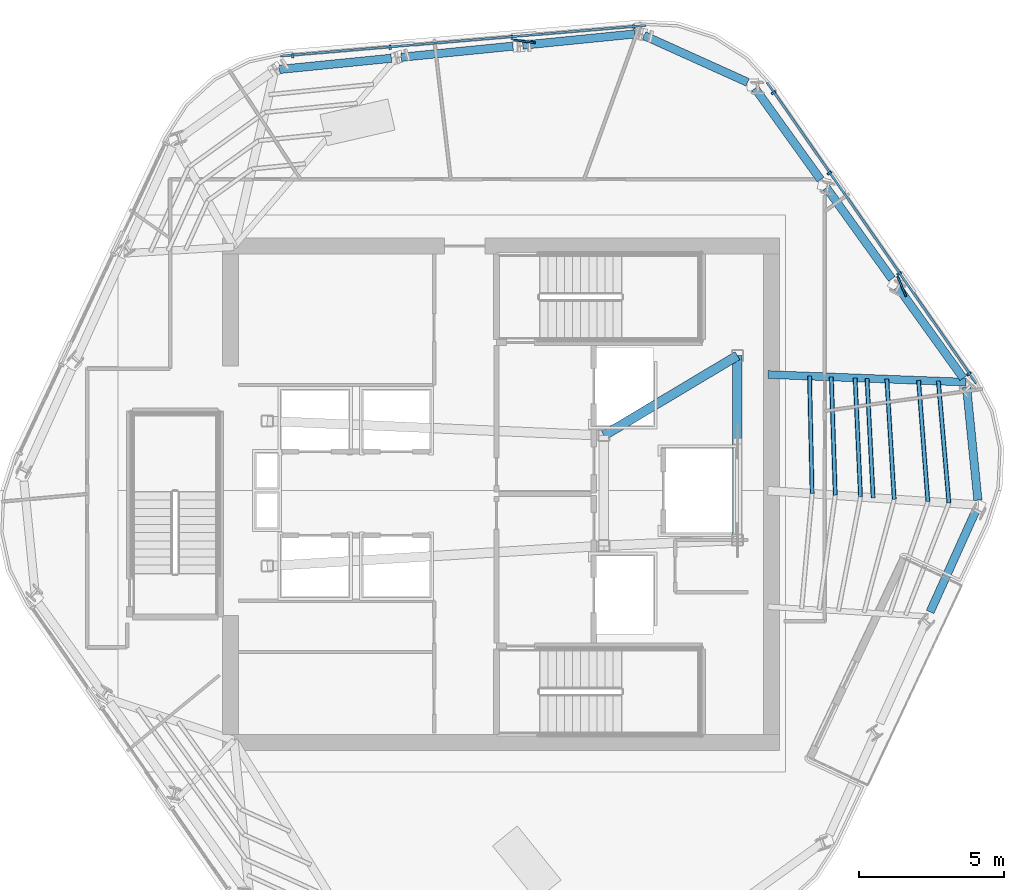
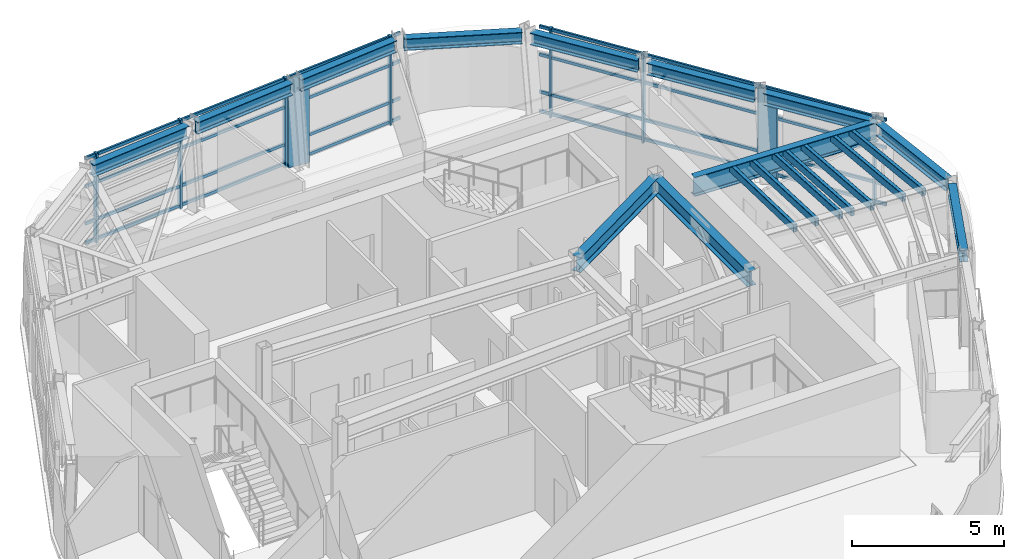
# One storey, part 4 of 14: 25 members, 12 beams, 2 elements without a shape of their own.
"""IFC4 building model written with IfcOpenShell, lengths in metres."""

from ifc_helpers import new_model, si_unit, direction, frame, origin, origin_2d, place, context, subcontext, project, spatial, rectangle, hollow_rectangle, i_section, extrude, material, layer, layer_set, material_profile, profile_set, type_object, element, aggregate, save


model = new_model("IFC4")

# Units and contexts
model_context = context("Model", 3, precision=1e-05, world=origin(), true_north=direction((0.0, 1.0)))
body_context = subcontext(model_context, "Body", "Model", "MODEL_VIEW")
ifc_project = project(units=[si_unit("LENGTHUNIT", "METRE"), si_unit("AREAUNIT", "SQUARE_METRE"), si_unit("VOLUMEUNIT", "CUBIC_METRE"), si_unit("PLANEANGLEUNIT", "RADIAN"), si_unit("MASSUNIT", "GRAM", prefix="KILO")], contexts=[model_context])

# Site, building, storey
site_placement = place(None, origin())
site = spatial("IfcSite", under=ifc_project, at=site_placement, CompositionType="ELEMENT")
building_placement = place(site_placement, origin())
building = spatial("IfcBuilding", under=site, at=building_placement, Name="Valkerne Bourse Tower", CompositionType="ELEMENT")
storey_placement = place(building_placement, frame((0.0, 0.0, 304.0)))
storey = spatial("IfcBuildingStorey", under=building, at=storey_placement, Name="L77", CompositionType="ELEMENT", Elevation=304.0)

# Beams
ifc_material_1 = material(Name="Steel ASTM A992", Category="steel")
ifc_material_profile_1 = material_profile(ifc_material_1, i_section(OverallWidth=0.284423828125, OverallDepth=0.47509765625, WebThickness=0.014892578125, FlangeThickness=0.02392578125, FilletRadius=0.017822265625, at=origin_2d()), Name="W18X106")
ifc_profile_set_1 = profile_set([ifc_material_profile_1], Name="Steel ASTM A992")
beam_type_1 = type_object("IfcBeamType", Name="BM-W18X106", PredefinedType="BEAM", material=ifc_profile_set_1)
beam_1_placement = place(storey_placement, frame((51.407958984375, 42.734130859375, 3.362548828125), z_axis=(-0.995055902693, -0.099316416143, 0.0), x_axis=(0.099316416143, -0.995055902693, 0.0)))
element("IfcBeam", 1, at=beam_1_placement, inside=storey, type_object=beam_type_1, Name="L77 Hexagonal Spandrel Ring Beam 00", PredefinedType="BEAM", context=body_context, shape_type="SweptSolid", body=[
    extrude(i_section(OverallWidth=0.284423828125, OverallDepth=0.47509765625, WebThickness=0.014892578125, FlangeThickness=0.02392578125, FilletRadius=0.017822265625, at=origin_2d()), origin(), (0.0, 0.0, 1.0), 3.87158203125),
])
for number, where, z_axis, x_axis, name in (
    (2, (47.216796875, 42.31591796875, 3.362548828125), (-0.995056524623, -0.099310184797, 0.0), (0.099310184797, -0.995056524623, 0.0), "L77 Hexagonal Spandrel Ring Beam 01"),
    (3, (43.025634765625, 41.8974609375, 3.362548828125), (-0.995056524623, -0.099310184797, 0.0), (0.099310184797, -0.995056524623, 0.0), "L77 Hexagonal Spandrel Ring Beam 02"),
):
    element("IfcBeam", number, at=place(storey_placement, frame(where, z_axis=z_axis, x_axis=x_axis)), inside=storey, type_object=beam_type_1, Name=name, PredefinedType="BEAM", context=body_context, shape_type="SweptSolid", body=[
        extrude(i_section(OverallWidth=0.284423828125, OverallDepth=0.47509765625, WebThickness=0.014892578125, FlangeThickness=0.02392578125, FilletRadius=0.017822265625, at=origin_2d()), origin(), (0.0, 0.0, 1.0), 3.871826171875),
    ])
beam_2_placement = place(storey_placement, frame((61.5888671875, 22.81982421875, 3.362548828125), z_axis=(0.411478598919, 0.911419421908, 0.0), x_axis=(-0.911419421908, 0.411478598919, 0.0)))
element("IfcBeam", 4, at=beam_2_placement, inside=storey, type_object=beam_type_1, Name="L77 Hexagonal Spandrel Ring Beam 18", PredefinedType="BEAM", context=body_context, shape_type="SweptSolid", body=[
    extrude(i_section(OverallWidth=0.284423828125, OverallDepth=0.47509765625, WebThickness=0.014892578125, FlangeThickness=0.02392578125, FilletRadius=0.017822265625, at=origin_2d()), origin(), (0.0, 0.0, 1.0), 3.8720703125),
])
beam_3_placement = place(storey_placement, frame((63.235107421875, 26.6728515625, 3.362548828125), z_axis=(-0.099262954427, 0.99506123725, 0.0), x_axis=(-0.99506123725, -0.099262954427, 0.0)))
element("IfcBeam", 5, at=beam_3_placement, inside=storey, type_object=beam_type_1, Name="L77 Hexagonal Spandrel Ring Beam 19", PredefinedType="BEAM", context=body_context, shape_type="SweptSolid", body=[
    extrude(i_section(OverallWidth=0.284423828125, OverallDepth=0.47509765625, WebThickness=0.014892578125, FlangeThickness=0.02392578125, FilletRadius=0.017822265625, at=origin_2d()), origin(), (0.0, 0.0, 1.0), 3.91552734375),
])
for number, where, z_axis, x_axis, name in (
    (6, (62.730224609375, 30.87646484375, 3.362548828125), (-0.583561989094, 0.812068596169, 0.0), (-0.812068596169, -0.583561989094, 0.0), "L77 Hexagonal Spandrel Ring Beam 20"),
    (7, (60.2724609375, 34.296875, 3.362548828125), (-0.583561989094, 0.812068596169, 0.0), (-0.812068596169, -0.583561989094, 0.0), "L77 Hexagonal Spandrel Ring Beam 21"),
):
    element("IfcBeam", number, at=place(storey_placement, frame(where, z_axis=z_axis, x_axis=x_axis)), inside=storey, type_object=beam_type_1, Name=name, PredefinedType="BEAM", context=body_context, shape_type="SweptSolid", body=[
        extrude(i_section(OverallWidth=0.284423828125, OverallDepth=0.47509765625, WebThickness=0.014892578125, FlangeThickness=0.02392578125, FilletRadius=0.017822265625, at=origin_2d()), origin(), (0.0, 0.0, 1.0), 3.871826171875),
    ])
beam_4_placement = place(storey_placement, frame((57.814453125, 37.71728515625, 3.362548828125), z_axis=(-0.583532109562, 0.812090067117, 0.0), x_axis=(-0.812090067117, -0.583532109562, 0.0)))
element("IfcBeam", 8, at=beam_4_placement, inside=storey, type_object=beam_type_1, Name="L77 Hexagonal Spandrel Ring Beam 22", PredefinedType="BEAM", context=body_context, shape_type="SweptSolid", body=[
    extrude(i_section(OverallWidth=0.284423828125, OverallDepth=0.47509765625, WebThickness=0.014892578125, FlangeThickness=0.02392578125, FilletRadius=0.017822265625, at=origin_2d()), origin(), (0.0, 0.0, 1.0), 3.8720703125),
])
beam_5_placement = place(storey_placement, frame((55.30078125, 41.06982421875, 3.362548828125), z_axis=(-0.911399267514, 0.411523237709, 0.0), x_axis=(-0.411523237709, -0.911399267514, 0.0)))
element("IfcBeam", 9, at=beam_5_placement, inside=storey, type_object=beam_type_1, Name="L77 Hexagonal Spandrel Ring Beam 23", PredefinedType="BEAM", context=body_context, shape_type="SweptSolid", body=[
    extrude(i_section(OverallWidth=0.284423828125, OverallDepth=0.47509765625, WebThickness=0.014892578125, FlangeThickness=0.02392578125, FilletRadius=0.017822265625, at=origin_2d()), origin(), (0.0, 0.0, 1.0), 3.91552734375),
])
ifc_material_profile_2 = material_profile(ifc_material_1, i_section(OverallWidth=0.3251953125, OverallDepth=0.612060546875, WebThickness=0.0126953125, FlangeThickness=0.01904296875, FilletRadius=0.020263671875, at=origin_2d()), Name="W24X104")
ifc_profile_set_2 = profile_set([ifc_material_profile_2], Name="Steel ASTM A992")
beam_type_2 = type_object("IfcBeamType", Name="BM-W24X104", PredefinedType="BEAM", material=ifc_profile_set_2)
beam_6_placement = place(storey_placement, frame((50.35009765625, 28.89990234375, 3.2939453125), z_axis=(0.858307823492, 0.513135148019, 0.0), x_axis=(-0.513135148019, 0.858307823492, 0.0)))
element("IfcBeam", 10, at=beam_6_placement, inside=storey, type_object=beam_type_2, Name="L77 Core Frame Girder CG-NE", PredefinedType="BEAM", context=body_context, shape_type="SweptSolid", body=[
    extrude(i_section(OverallWidth=0.3251953125, OverallDepth=0.612060546875, WebThickness=0.0126953125, FlangeThickness=0.01904296875, FilletRadius=0.020263671875, at=origin_2d()), origin(), (0.0, 0.0, 1.0), 5.359130859375),
])
beam_7_placement = place(storey_placement, frame((54.949951171875, 25.300048828125, 3.2939453125), z_axis=(0.0, 1.0, 0.0), x_axis=(-1.0, 0.0, 0.0)))
element("IfcBeam", 11, at=beam_7_placement, inside=storey, type_object=beam_type_2, Name="L77 Core Frame Girder CG-EE", PredefinedType="BEAM", context=body_context, shape_type="SweptSolid", body=[
    extrude(i_section(OverallWidth=0.3251953125, OverallDepth=0.612060546875, WebThickness=0.0126953125, FlangeThickness=0.01904296875, FilletRadius=0.020263671875, at=origin_2d()), origin(), (0.0, 0.0, 1.0), 6.349853515625),
])
ifc_material_profile_3 = material_profile(ifc_material_1, i_section(OverallWidth=0.26806640625, OverallDepth=0.76953125, WebThickness=0.015625, FlangeThickness=0.025390625, FilletRadius=0.025390625, at=origin_2d()), Name="W30X132")
ifc_profile_set_3 = profile_set([ifc_material_profile_3], Name="Steel ASTM A992")
beam_type_3 = type_object("IfcBeamType", Name="BM-W30X132", PredefinedType="BEAM", material=ifc_profile_set_3)
beam_8_placement = place(storey_placement, frame((62.82958984375, 30.73828125, 3.215087890625), z_axis=(-0.999266546767, 0.038293191468, 0.0), x_axis=(-0.038293191468, -0.999266546767, 0.0)))
element("IfcBeam", 12, at=beam_8_placement, inside=storey, type_object=beam_type_3, Name="L77 Radial Composite Floor Beam 20", PredefinedType="BEAM", context=body_context, shape_type="SweptSolid", body=[
    extrude(i_section(OverallWidth=0.26806640625, OverallDepth=0.76953125, WebThickness=0.015625, FlangeThickness=0.025390625, FilletRadius=0.025390625, at=origin_2d()), origin(), (0.0, 0.0, 1.0), 6.834716796875),
])

# Curtain wall, members
ifc_material_2 = material(Name="Aluminium AA 6063-T6", Category="aluminium")
ifc_layer = layer(ifc_material_2, 0.2451171875)
ifc_layer_set = layer_set([ifc_layer], Name="Aluminium AA 6063-T6")
curtain_wall_type = type_object("IfcCurtainWallType", Name="CW-05", PredefinedType="NOTDEFINED", material=ifc_layer_set)
curtain_wall_1_placement = place(storey_placement, origin())
curtain_wall_1 = element("IfcCurtainWall", 13, at=curtain_wall_1_placement, inside=storey, type_object=curtain_wall_type, Name="L77 Hexagonal Stick Curtain Wall Face 1", PredefinedType="NOTDEFINED")
ifc_material_profile_4 = material_profile(ifc_material_2, rectangle(XDim=0.074951171875, YDim=0.159912109375, at=origin_2d()), Name="CWM-75X160")
ifc_profile_set_4 = profile_set([ifc_material_profile_4], Name="Aluminium AA 6063-T6")
member_type_1 = type_object("IfcMemberType", Name="CW-MUL-160X75", PredefinedType="MULLION", material=ifc_profile_set_4)
member_1_placement = place(storey_placement, frame((51.376953125, 42.977783203125, 0.0), z_axis=(0.0, 0.0, 1.0), x_axis=(-0.996493823918, -0.083666354605, 0.0)))
member_1 = element("IfcMember", 14, at=member_1_placement, type_object=member_type_1, Name="CW-L77-F1 Jamb Mullion 00A", PredefinedType="MULLION", context=body_context, shape_type="SweptSolid", body=[
    extrude(rectangle(XDim=0.074951171875, YDim=0.159912109375, at=origin_2d()), origin(), (0.0, 0.0, 1.0), 3.60009765625),
])
member_2_placement = place(storey_placement, frame((47.1796875, 42.62548828125, 0.0), z_axis=(0.0, 0.0, 1.0), x_axis=(-0.996491844212, -0.083689930214, 0.0)))
member_2 = element("IfcMember", 15, at=member_2_placement, type_object=member_type_1, Name="CW-L77-F1 Jamb Mullion 01A", PredefinedType="MULLION", context=body_context, shape_type="SweptSolid", body=[
    extrude(rectangle(XDim=0.074951171875, YDim=0.159912109375, at=origin_2d()), origin(), (0.0, 0.0, 1.0), 3.60009765625),
])
member_3_placement = place(storey_placement, frame((42.982666015625, 42.27294921875, 0.0), z_axis=(0.0, 0.0, 1.0), x_axis=(-0.996493823918, -0.083666354605, 0.0)))
member_3 = element("IfcMember", 16, at=member_3_placement, type_object=member_type_1, Name="CW-L77-F1 Jamb Mullion 02A", PredefinedType="MULLION", context=body_context, shape_type="SweptSolid", body=[
    extrude(rectangle(XDim=0.074951171875, YDim=0.159912109375, at=origin_2d()), origin(), (0.0, 0.0, 1.0), 3.60009765625),
])
member_4_placement = place(storey_placement, frame((39.62255859375, 41.99072265625, 0.0), z_axis=(0.0, 0.0, 1.0), x_axis=(-0.996493823918, -0.083666354605, 0.0)))
member_4 = element("IfcMember", 17, at=member_4_placement, type_object=member_type_1, Name="CW-L77-F1 Jamb Mullion 02B", PredefinedType="MULLION", context=body_context, shape_type="SweptSolid", body=[
    extrude(rectangle(XDim=0.074951171875, YDim=0.159912109375, at=origin_2d()), origin(), (0.0, 0.0, 1.0), 3.60009765625),
])

curtain_wall_2_placement = place(storey_placement, origin())
curtain_wall_2 = element("IfcCurtainWall", 18, at=curtain_wall_2_placement, inside=storey, type_object=curtain_wall_type, Name="L77 Hexagonal Stick Curtain Wall Face 6", PredefinedType="NOTDEFINED")
member_5_placement = place(storey_placement, frame((62.92578125, 31.02490234375, 0.0), z_axis=(0.0, 0.0, 1.0), x_axis=(-0.57070410304, 0.821155787152, 0.0)))
member_5 = element("IfcMember", 19, at=member_5_placement, type_object=member_type_1, Name="CW-L77-F6 Jamb Mullion 00A", PredefinedType="MULLION", context=body_context, shape_type="SweptSolid", body=[
    extrude(rectangle(XDim=0.074951171875, YDim=0.159912109375, at=origin_2d()), origin(), (0.0, 0.0, 1.0), 3.60009765625),
])
member_6_placement = place(storey_placement, frame((60.52197265625, 34.483642578125, 0.0), z_axis=(0.0, 0.0, 1.0), x_axis=(-0.57072011169, 0.821144660893, 0.0)))
member_6 = element("IfcMember", 20, at=member_6_placement, type_object=member_type_1, Name="CW-L77-F6 Jamb Mullion 01A", PredefinedType="MULLION", context=body_context, shape_type="SweptSolid", body=[
    extrude(rectangle(XDim=0.074951171875, YDim=0.159912109375, at=origin_2d()), origin(), (0.0, 0.0, 1.0), 3.60009765625),
])
member_7_placement = place(storey_placement, frame((58.117919921875, 37.9423828125, 0.0), z_axis=(0.0, 0.0, 1.0), x_axis=(-0.57070410304, 0.821155787152, 0.0)))
member_7 = element("IfcMember", 21, at=member_7_placement, type_object=member_type_1, Name="CW-L77-F6 Jamb Mullion 02A", PredefinedType="MULLION", context=body_context, shape_type="SweptSolid", body=[
    extrude(rectangle(XDim=0.074951171875, YDim=0.159912109375, at=origin_2d()), origin(), (0.0, 0.0, 1.0), 3.60009765625),
])
member_8_placement = place(storey_placement, frame((56.193603515625, 40.71142578125, 0.0), z_axis=(0.0, 0.0, 1.0), x_axis=(-0.57070410304, 0.821155787152, 0.0)))
member_8 = element("IfcMember", 22, at=member_8_placement, type_object=member_type_1, Name="CW-L77-F6 Jamb Mullion 02B", PredefinedType="MULLION", context=body_context, shape_type="SweptSolid", body=[
    extrude(rectangle(XDim=0.074951171875, YDim=0.159912109375, at=origin_2d()), origin(), (0.0, 0.0, 1.0), 3.60009765625),
])

# Member
ifc_material_profile_5 = material_profile(ifc_material_2, rectangle(XDim=0.074951171875, YDim=0.1201171875, at=origin_2d()), Name="CWT-75X120")
ifc_profile_set_5 = profile_set([ifc_material_profile_5], Name="Aluminium AA 6063-T6")
member_type_2 = type_object("IfcMemberType", Name="CW-TRN-120X75", PredefinedType="USERDEFINED", material=ifc_profile_set_5)
member_9_placement = place(storey_placement, frame((51.7939453125, 43.03271484375, 0.1201171875), z_axis=(-0.996494266806, -0.083661079501, 0.0), x_axis=(0.083661079501, -0.996494266806, 0.0)))
member_9 = element("IfcMember", 23, at=member_9_placement, type_object=member_type_2, Name="CW-L77-F1 Continuous Face Transom 1", ObjectType="TRANSOM", PredefinedType="USERDEFINED", context=body_context, shape_type="SweptSolid", body=[
    extrude(rectangle(XDim=0.074951171875, YDim=0.1201171875, at=origin_2d()), origin(), (0.0, 0.0, 1.0), 12.6357421875),
])

member_10_placement = place(storey_placement, frame((51.7939453125, 43.03271484375, 0.89990234375), z_axis=(-0.996494266806, -0.083661079501, 0.0), x_axis=(0.083661079501, -0.996494266806, 0.0)))
member_10 = element("IfcMember", 24, at=member_10_placement, type_object=member_type_2, Name="CW-L77-F1 Continuous Face Transom 2", ObjectType="TRANSOM", PredefinedType="USERDEFINED", context=body_context, shape_type="SweptSolid", body=[
    extrude(rectangle(XDim=0.074951171875, YDim=0.1201171875, at=origin_2d()), origin(), (0.0, 0.0, 1.0), 12.6357421875),
])

member_11_placement = place(storey_placement, frame((51.7939453125, 43.03271484375, 2.39990234375), z_axis=(-0.996494266806, -0.083661079501, 0.0), x_axis=(0.083661079501, -0.996494266806, 0.0)))
member_11 = element("IfcMember", 25, at=member_11_placement, type_object=member_type_2, Name="CW-L77-F1 Continuous Face Transom 3", ObjectType="TRANSOM", PredefinedType="USERDEFINED", context=body_context, shape_type="SweptSolid", body=[
    extrude(rectangle(XDim=0.074951171875, YDim=0.1201171875, at=origin_2d()), origin(), (0.0, 0.0, 1.0), 12.6357421875),
])

member_12_placement = place(storey_placement, frame((51.7939453125, 43.03271484375, 3.52001953125), z_axis=(-0.996494266806, -0.083661079501, 0.0), x_axis=(0.083661079501, -0.996494266806, 0.0)))
member_12 = element("IfcMember", 26, at=member_12_placement, type_object=member_type_2, Name="CW-L77-F1 Continuous Face Transom 4", ObjectType="TRANSOM", PredefinedType="USERDEFINED", context=body_context, shape_type="SweptSolid", body=[
    extrude(rectangle(XDim=0.074951171875, YDim=0.1201171875, at=origin_2d()), origin(), (0.0, 0.0, 1.0), 12.6357421875),
])

aggregate(curtain_wall_1, [member_9, member_10, member_11, member_12, member_1, member_2, member_3, member_4])

member_13_placement = place(storey_placement, frame((63.181884765625, 30.691650390625, 0.1201171875), z_axis=(-0.570723084712, 0.821142594545, 0.0), x_axis=(-0.821142594545, -0.570723084712, 0.0)))
member_13 = element("IfcMember", 27, at=member_13_placement, type_object=member_type_2, Name="CW-L77-F6 Continuous Face Transom 1", ObjectType="TRANSOM", PredefinedType="USERDEFINED", context=body_context, shape_type="SweptSolid", body=[
    extrude(rectangle(XDim=0.074951171875, YDim=0.1201171875, at=origin_2d()), origin(), (0.0, 0.0, 1.0), 12.635986328125),
])

member_14_placement = place(storey_placement, frame((63.181884765625, 30.691650390625, 0.89990234375), z_axis=(-0.570723084712, 0.821142594545, 0.0), x_axis=(-0.821142594545, -0.570723084712, 0.0)))
member_14 = element("IfcMember", 28, at=member_14_placement, type_object=member_type_2, Name="CW-L77-F6 Continuous Face Transom 2", ObjectType="TRANSOM", PredefinedType="USERDEFINED", context=body_context, shape_type="SweptSolid", body=[
    extrude(rectangle(XDim=0.074951171875, YDim=0.1201171875, at=origin_2d()), origin(), (0.0, 0.0, 1.0), 12.635986328125),
])

member_15_placement = place(storey_placement, frame((63.181884765625, 30.691650390625, 2.39990234375), z_axis=(-0.570723084712, 0.821142594545, 0.0), x_axis=(-0.821142594545, -0.570723084712, 0.0)))
member_15 = element("IfcMember", 29, at=member_15_placement, type_object=member_type_2, Name="CW-L77-F6 Continuous Face Transom 3", ObjectType="TRANSOM", PredefinedType="USERDEFINED", context=body_context, shape_type="SweptSolid", body=[
    extrude(rectangle(XDim=0.074951171875, YDim=0.1201171875, at=origin_2d()), origin(), (0.0, 0.0, 1.0), 12.635986328125),
])

member_16_placement = place(storey_placement, frame((63.181884765625, 30.691650390625, 3.52001953125), z_axis=(-0.570723084712, 0.821142594545, 0.0), x_axis=(-0.821142594545, -0.570723084712, 0.0)))
member_16 = element("IfcMember", 30, at=member_16_placement, type_object=member_type_2, Name="CW-L77-F6 Continuous Face Transom 4", ObjectType="TRANSOM", PredefinedType="USERDEFINED", context=body_context, shape_type="SweptSolid", body=[
    extrude(rectangle(XDim=0.074951171875, YDim=0.1201171875, at=origin_2d()), origin(), (0.0, 0.0, 1.0), 12.635986328125),
])

aggregate(curtain_wall_2, [member_13, member_14, member_15, member_16, member_5, member_6, member_7, member_8])

# Members
ifc_material_3 = material(Name="Bronze Anodised Aluminium AA 6063-T6", Category="aluminium")
ifc_material_profile_6 = material_profile(ifc_material_3, rectangle(XDim=0.06494140625, YDim=0.75, at=origin_2d()), Name="FIN-65X750")
ifc_profile_set_6 = profile_set([ifc_material_profile_6], Name="Bronze Anodised Aluminium AA 6063-T6")
member_type_3 = type_object("IfcMemberType", Name="FIN-SOLAR-650", PredefinedType="USERDEFINED", material=ifc_profile_set_6)
for number, where, z_axis, x_axis, name in (
    (31, (47.61328125, 42.481201171875, 0.00390625), (0.0, 0.0, 1.0), (0.126835345903, 0.99192378489, 0.0), "L77 Bronze Anodised Solar Fin F1-01"),
    (32, (60.61376953125, 34.0361328125, 0.00390625), (0.0, 0.0, 1.0), (0.922944658631, 0.384932665675, 0.0), "L77 Bronze Anodised Solar Fin F6-01"),
):
    element("IfcMember", number, at=place(storey_placement, frame(where, z_axis=z_axis, x_axis=x_axis)), inside=storey, type_object=member_type_3, Name=name, ObjectType="SOLAR_FIN", PredefinedType="USERDEFINED", context=body_context, shape_type="SweptSolid", body=[
        extrude(rectangle(XDim=0.06494140625, YDim=0.75, at=origin_2d()), origin(), (0.0, 0.0, 1.0), 3.592041015625),
    ])
ifc_material_4 = material(Name="Steel ASTM A500 Grade C", Category="steel")
ifc_material_profile_7 = material_profile(ifc_material_4, hollow_rectangle(XDim=0.14990234375, YDim=0.300048828125, WallThickness=0.012451171875, OuterFilletRadius=0.02490234375, at=origin_2d()), Name="HSS300X150X12.5")
ifc_profile_set_7 = profile_set([ifc_material_profile_7], Name="Steel ASTM A500 Grade C")
member_type_4 = type_object("IfcMemberType", Name="MBR-HSS300X150X12.5", PredefinedType="PURLIN", material=ifc_profile_set_7)
member_17_placement = place(storey_placement, frame((58.32080078125, 26.84130859375, 3.43994140625), z_axis=(-0.033233085722, 0.99944762845, 0.0), x_axis=(-0.99944762845, -0.033233085722, 0.0)))
element("IfcMember", 33, at=member_17_placement, inside=storey, type_object=member_type_4, Name="L77 Secondary Composite Floor Purlin I-19", PredefinedType="PURLIN", context=body_context, shape_type="SweptSolid", body=[
    extrude(hollow_rectangle(XDim=0.14990234375, YDim=0.300048828125, WallThickness=0.012451171875, OuterFilletRadius=0.02490234375, at=origin_2d()), origin(), (0.0, 0.0, 1.0), 4.0771484375),
])
member_18_placement = place(storey_placement, frame((59.19091796875, 26.781494140625, 3.43994140625), z_axis=(-0.045289036826, 0.998973925157, 0.0), x_axis=(-0.998973925157, -0.045289036826, 0.0)))
element("IfcMember", 34, at=member_18_placement, inside=storey, type_object=member_type_4, Name="L77 Secondary Composite Floor Purlin K-19", PredefinedType="PURLIN", context=body_context, shape_type="SweptSolid", body=[
    extrude(hollow_rectangle(XDim=0.14990234375, YDim=0.300048828125, WallThickness=0.012451171875, OuterFilletRadius=0.02490234375, at=origin_2d()), origin(), (0.0, 0.0, 1.0), 4.107666015625),
])
member_19_placement = place(storey_placement, frame((59.6259765625, 26.751708984375, 3.43994140625), z_axis=(-0.051222323925, 0.998687275143, 0.0), x_axis=(-0.998687275143, -0.051222323925, 0.0)))
element("IfcMember", 35, at=member_19_placement, inside=storey, type_object=member_type_4, Name="L77 Secondary Composite Floor Purlin M-19", PredefinedType="PURLIN", context=body_context, shape_type="SweptSolid", body=[
    extrude(hollow_rectangle(XDim=0.14990234375, YDim=0.300048828125, WallThickness=0.012451171875, OuterFilletRadius=0.02490234375, at=origin_2d()), origin(), (0.0, 0.0, 1.0), 4.122802734375),
])
member_20_placement = place(storey_placement, frame((61.51171875, 26.622802734375, 3.43994140625), z_axis=(-0.076665314583, 0.997056883803, 0.0), x_axis=(-0.997056883803, -0.076665314583, 0.0)))
element("IfcMember", 36, at=member_20_placement, inside=storey, type_object=member_type_4, Name="L77 Secondary Composite Floor Purlin O-19", PredefinedType="PURLIN", context=body_context, shape_type="SweptSolid", body=[
    extrude(hollow_rectangle(XDim=0.14990234375, YDim=0.300048828125, WallThickness=0.012451171875, OuterFilletRadius=0.02490234375, at=origin_2d()), origin(), (0.0, 0.0, 1.0), 4.19091796875),
])
member_21_placement = place(storey_placement, frame((60.351318359375, 26.7021484375, 3.43994140625), z_axis=(-0.061143565364, 0.998128981853, 0.0), x_axis=(-0.998128981853, -0.061143565364, 0.0)))
element("IfcMember", 37, at=member_21_placement, inside=storey, type_object=member_type_4, Name="L77 Secondary Composite Floor Purlin Z-19", PredefinedType="PURLIN", context=body_context, shape_type="SweptSolid", body=[
    extrude(hollow_rectangle(XDim=0.14990234375, YDim=0.300048828125, WallThickness=0.012451171875, OuterFilletRadius=0.02490234375, at=origin_2d()), origin(), (0.0, 0.0, 1.0), 4.148681640625),
])
member_22_placement = place(storey_placement, frame((57.52294921875, 26.895751953125, 3.43994140625), z_axis=(-0.021940936561, 0.999759268676, 0.0), x_axis=(-0.999759268676, -0.021940936561, 0.0)))
element("IfcMember", 38, at=member_22_placement, inside=storey, type_object=member_type_4, Name="L77 Secondary Composite Floor Purlin S-19", PredefinedType="PURLIN", context=body_context, shape_type="SweptSolid", body=[
    extrude(hollow_rectangle(XDim=0.14990234375, YDim=0.300048828125, WallThickness=0.012451171875, OuterFilletRadius=0.02490234375, at=origin_2d()), origin(), (0.0, 0.0, 1.0), 4.05029296875),
])
member_23_placement = place(storey_placement, frame((62.23681640625, 26.5732421875, 3.43994140625), z_axis=(-0.086197446358, 0.996278073753, 0.0), x_axis=(-0.996278073753, -0.086197446358, 0.0)))
element("IfcMember", 39, at=member_23_placement, inside=storey, type_object=member_type_4, Name="L77 Secondary Composite Floor Purlin T-19", PredefinedType="PURLIN", context=body_context, shape_type="SweptSolid", body=[
    extrude(hollow_rectangle(XDim=0.14990234375, YDim=0.300048828125, WallThickness=0.012451171875, OuterFilletRadius=0.02490234375, at=origin_2d()), origin(), (0.0, 0.0, 1.0), 4.21728515625),
])

save(model, "model.ifc")
